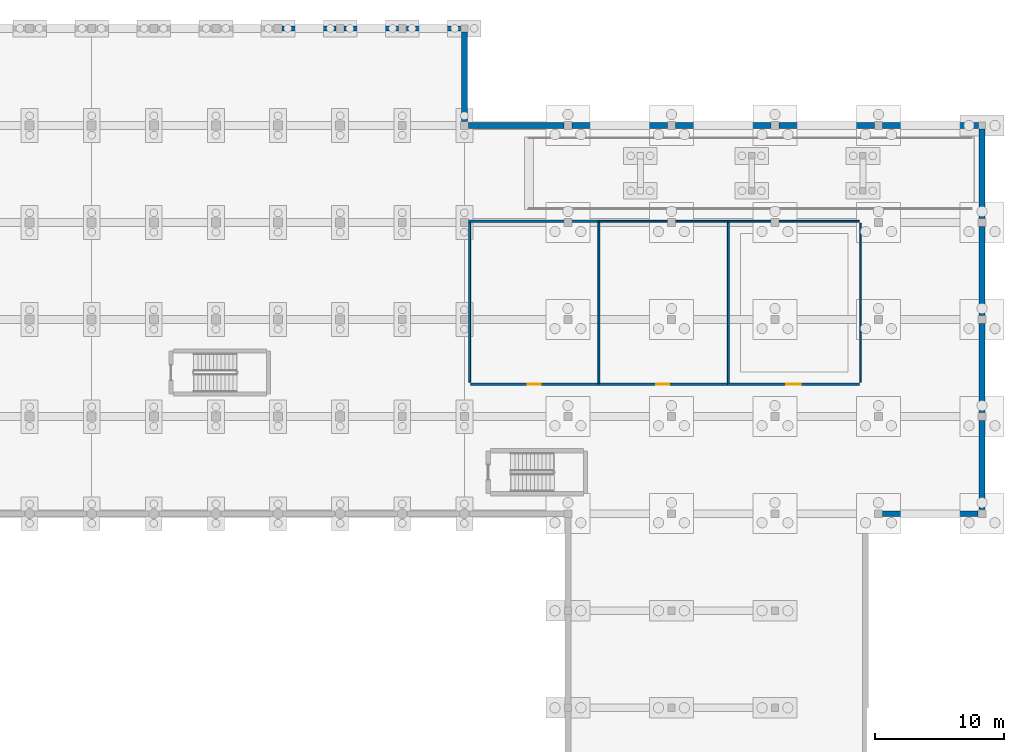
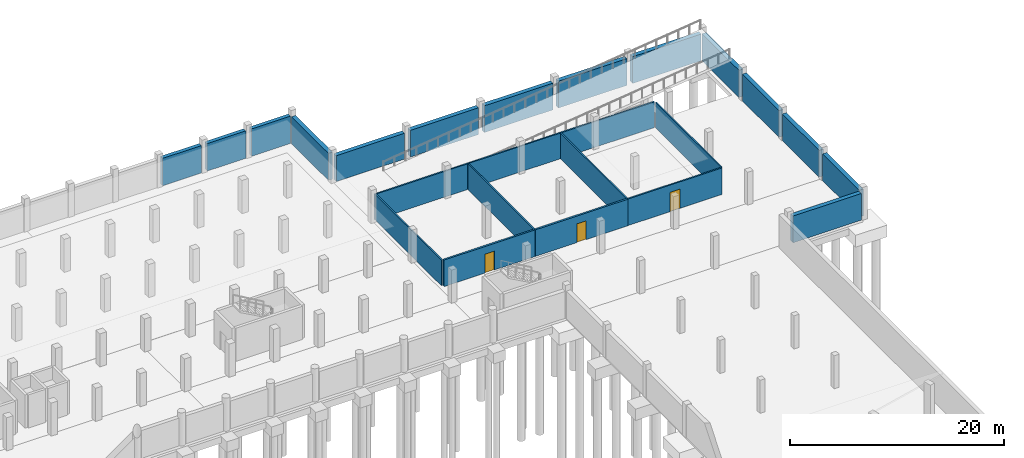
# One storey, part 9 of 17: 24 walls, 3 doors, 3 openings.
"""IFC4 building model written with IfcOpenShell, lengths in metres."""

import ifcopenshell
import ifcopenshell.guid

model = None  # the IFC model being written
_history = None  # IfcOwnerHistory: only IFC2X3 demands one
_inside = {}  # id of a spatial element -> (the spatial element, [elements in it])
_under = {}  # id of a project, library or spatial element -> (it, [spatial elements below it])
_declared = {}  # id of a project -> (the project, [libraries it declares])
_typed = {}  # id of a type object -> (the type object, [elements of that type])
_made_of = {}  # id of a material, layer set ... -> (it, [elements and type objects made of it])


def new_model(schema):
    """Start an empty IFC model of exactly this schema.

    Asked for "IFC4X3", IfcOpenShell would pick the latest addendum, in which some entities
    have other attributes; the version numbers below select the first issue.
    IFC2X3 requires an IfcOwnerHistory on every rooted entity: one is made here for all.
    """
    global model, _history
    if schema == "IFC4X3":
        model = ifcopenshell.file(schema_version=(4, 3, 0, 0))
    else:
        model = ifcopenshell.file(schema=schema)
    _inside.clear()
    _under.clear()
    _declared.clear()
    _typed.clear()
    _made_of.clear()
    _history = None
    if model.schema == "IFC2X3":
        org = make("IfcOrganization", Name="unknown")
        user = make(
            "IfcPersonAndOrganization",
            ThePerson=make("IfcPerson", FamilyName="unknown"),
            TheOrganization=org,
        )
        app = make(
            "IfcApplication",
            ApplicationDeveloper=org,
            Version="unknown",
            ApplicationFullName="unknown",
            ApplicationIdentifier="unknown",
        )
        _history = make(
            "IfcOwnerHistory",
            OwningUser=user,
            OwningApplication=app,
            ChangeAction="ADDED",
            CreationDate=0,
        )
    return model


def make(cls, **values):
    """One entity of the class cls with the attributes given. An attribute that is None is left unset."""
    return model.create_entity(
        cls, **{name: value for name, value in values.items() if value is not None}
    )


def rooted(cls, **values):
    """An entity with a GlobalId (a new one), such as an element, a storey or a relation."""
    return make(cls, GlobalId=ifcopenshell.guid.new(), OwnerHistory=_history, **values)


def si_unit(unit_type, name, prefix=None):
    """IfcSIUnit, for example si_unit("LENGTHUNIT", "METRE", prefix="MILLI")."""
    return make("IfcSIUnit", UnitType=unit_type, Prefix=prefix, Name=name)


def assignment(units):
    """IfcUnitAssignment: the units of a project."""
    return None if units is None else make("IfcUnitAssignment", Units=units)


def point(xyz):
    """IfcCartesianPoint."""
    return None if xyz is None else make("IfcCartesianPoint", Coordinates=xyz)


def direction(xyz):
    """IfcDirection."""
    return None if xyz is None else make("IfcDirection", DirectionRatios=xyz)


def frame(location, z_axis=None, x_axis=None):
    """IfcAxis2Placement3D, a coordinate frame: its origin and axes. An axis left out is left unset."""
    return make(
        "IfcAxis2Placement3D",
        Location=point(location),
        Axis=direction(z_axis),
        RefDirection=direction(x_axis),
    )


def frame_2d(location, x_axis=None):
    """IfcAxis2Placement2D, a coordinate frame in the plane: its origin and x axis."""
    return make(
        "IfcAxis2Placement2D", Location=point(location), RefDirection=direction(x_axis)
    )


def origin():
    """The frame at (0, 0, 0) with its axes left unset."""
    return frame((0.0, 0.0, 0.0))


def place(relative_to, where):
    """IfcLocalPlacement: puts the frame where relative to a parent placement (None: the world)."""
    return make(
        "IfcLocalPlacement", PlacementRelTo=relative_to, RelativePlacement=where
    )


def context(
    kind, dimensions, precision=None, world=None, true_north=None, identifier=None
):
    """IfcGeometricRepresentationContext, for example the 3D "Model" context."""
    return make(
        "IfcGeometricRepresentationContext",
        ContextIdentifier=identifier,
        ContextType=kind,
        CoordinateSpaceDimension=dimensions,
        Precision=precision,
        WorldCoordinateSystem=world,
        TrueNorth=true_north,
    )


def subcontext(parent, identifier, kind, view, scale=None):
    """IfcGeometricRepresentationSubContext, for example "Body" below "Model"."""
    return make(
        "IfcGeometricRepresentationSubContext",
        ContextIdentifier=identifier,
        ContextType=kind,
        ParentContext=parent,
        TargetScale=scale,
        TargetView=view,
    )


def project(units=None, contexts=None):
    """IfcProject with its units and contexts."""
    return rooted(
        "IfcProject",
        Name="project",
        RepresentationContexts=contexts,
        UnitsInContext=assignment(units),
    )


def spatial(cls, under=None, at=None, **own):
    """A site, building, storey or space (cls), placed at a placement, below another one or the project."""
    s = rooted(cls, ObjectPlacement=at, **own)
    if under is not None:
        _under.setdefault(under.id(), (under, []))[1].append(s)
    return s


def profile(cls, at=None, kind="AREA", **sizes):
    """A parametric profile (cls). Its sizes go by their IFC names, for example OverallWidth=200.0."""
    return make(cls, ProfileType=kind, Position=at, **sizes)


def rectangle(**sizes):
    """IfcRectangleProfileDef."""
    return profile("IfcRectangleProfileDef", **sizes)


def extrude(swept, where, along, depth):
    """IfcExtrudedAreaSolid: the profile swept, set in the frame where, extruded along a direction by depth."""
    return make(
        "IfcExtrudedAreaSolid",
        SweptArea=swept,
        Position=where,
        ExtrudedDirection=direction(along),
        Depth=depth,
    )


def shape(context_of_items, identifier, shape_type, items):
    """IfcShapeRepresentation: the items that make up one representation, for example the "Body"."""
    return make(
        "IfcShapeRepresentation",
        ContextOfItems=context_of_items,
        RepresentationIdentifier=identifier,
        RepresentationType=shape_type,
        Items=items,
    )


def material(Name=None, Category=None):
    """IfcMaterial."""
    return make("IfcMaterial", Name=Name, Category=Category)


def layer(
    of_material, thickness, ventilated=None, Name=None, Category=None, Priority=None
):
    """IfcMaterialLayer: one layer of a wall or slab, of a material (None: an air gap)."""
    return make(
        "IfcMaterialLayer",
        Material=of_material,
        LayerThickness=thickness,
        IsVentilated=ventilated,
        Name=Name,
        Category=Category,
        Priority=Priority,
    )


def layer_set(layers, Name=None):
    """IfcMaterialLayerSet."""
    return make("IfcMaterialLayerSet", MaterialLayers=layers, LayerSetName=Name)


def made_of(thing, what):
    """Note that an element or type object is made of a material, layer set ...; save() writes the relation."""
    if what is not None:
        _made_of.setdefault(what.id(), (what, []))[1].append(thing)
    return thing


def type_object(cls, material=None, **own):
    """A type object (cls), such as IfcWallType, which elements share."""
    return made_of(rooted(cls, **own), material)


def element(
    cls,
    number,
    at=None,
    inside=None,
    cuts=None,
    type_object=None,
    material=None,
    context=None,
    identifier="Body",
    shape_type=None,
    held_by="IfcProductDefinitionShape",
    body=None,
    shapes=None,
    **own,
):
    """One element of the class cls, such as IfcWall. Its Tag is "e" and its number.

    at: its placement. inside: the storey or other place that contains it. cuts: it is an
    opening in that element (IfcRelVoidsElement). A single representation is given by context,
    identifier, shape_type and body (its items); several are given by shapes. held_by: the class
    of the entity that holds the representations. save() writes the other relations.
    """
    e = rooted(cls, Tag="e%d" % number, ObjectPlacement=at, **own)
    if body is not None:
        shapes = [shape(context, identifier, shape_type, body)]
    if shapes is not None:
        e.Representation = make(held_by, Representations=shapes)
    if inside is not None:
        _inside.setdefault(inside.id(), (inside, []))[1].append(e)
    if cuts is not None:
        rooted(
            "IfcRelVoidsElement", RelatingBuildingElement=cuts, RelatedOpeningElement=e
        )
    if type_object is not None:
        _typed.setdefault(type_object.id(), (type_object, []))[1].append(e)
    return made_of(e, material)


def fill(opening, filler):
    """IfcRelFillsElement: the door or window that sits in an opening."""
    return rooted(
        "IfcRelFillsElement",
        RelatingOpeningElement=opening,
        RelatedBuildingElement=filler,
    )


def aggregate(whole, parts):
    """IfcRelAggregates: a whole, such as a stair, and the parts it consists of."""
    return rooted("IfcRelAggregates", RelatingObject=whole, RelatedObjects=parts)


def save(model, path):
    """Write the relations noted so far, then the file.

    IfcRelAggregates (storeys below a building ...), IfcRelContainedInSpatialStructure (elements
    in a storey), IfcRelDefinesByType, IfcRelAssociatesMaterial and IfcRelDeclares: one each for
    every whole, place, type object, material and project.
    """
    for whole, parts in _under.values():
        aggregate(whole, parts)
    for where, things in _inside.values():
        rooted(
            "IfcRelContainedInSpatialStructure",
            RelatedElements=things,
            RelatingStructure=where,
        )
    for kind, things in _typed.values():
        rooted("IfcRelDefinesByType", RelatedObjects=things, RelatingType=kind)
    for what, things in _made_of.values():
        rooted("IfcRelAssociatesMaterial", RelatedObjects=things, RelatingMaterial=what)
    for by, libraries in _declared.values():
        rooted("IfcRelDeclares", RelatingContext=by, RelatedDefinitions=libraries)
    model.write(path)


model = new_model("IFC4")

# Units and contexts
model_context = context("Model", 3, precision=1e-05, world=origin(), true_north=direction((0.0, 1.0)))
body_context = subcontext(model_context, "Body", "Model", "MODEL_VIEW")
ifc_project = project(units=[si_unit("LENGTHUNIT", "METRE"), si_unit("AREAUNIT", "SQUARE_METRE"), si_unit("VOLUMEUNIT", "CUBIC_METRE"), si_unit("PLANEANGLEUNIT", "RADIAN"), si_unit("MASSUNIT", "GRAM", prefix="KILO")], contexts=[model_context])

# Site, building, storey
site_placement = place(None, origin())
site = spatial("IfcSite", under=ifc_project, at=site_placement, CompositionType="ELEMENT")
building_placement = place(site_placement, origin())
building = spatial("IfcBuilding", under=site, at=building_placement, Name="Mawjan Specialist Oncology Clinic", CompositionType="ELEMENT")
storey_placement = place(building_placement, frame((0.0, 0.0, -4.199951171875)))
storey = spatial("IfcBuildingStorey", under=building, at=storey_placement, Name="B01", CompositionType="ELEMENT", Elevation=-4.199951171875)

# Walls
ifc_material_1 = material(Name="Concrete C40/50", Category="concrete")
ifc_layer_1 = layer(ifc_material_1, 0.39990234375, Name="Concrete C40/50", Category="concrete")
ifc_layer_set_1 = layer_set([ifc_layer_1], Name="Concrete C40/50")
wall_type_1 = type_object("IfcWallType", Name="RW-400", PredefinedType="USERDEFINED", material=ifc_layer_set_1)
wall_1_placement = place(storey_placement, frame((93.909912109375, 113.300048828125, 0.0), z_axis=(0.0, 0.0, 1.0), x_axis=(1.0, 0.0, 0.0)))
element("IfcWall", 1, at=wall_1_placement, inside=storey, type_object=wall_type_1, Name="B01 Perimeter Retaining Wall 40", ObjectType="RETAININGWALL", PredefinedType="USERDEFINED", context=body_context, shape_type="SweptSolid", body=[
    extrude(rectangle(XDim=4.18017578125, YDim=0.39990234375, at=frame_2d((2.090087890625, 0.0))), origin(), (0.0, 0.0, 1.0), 3.1298828125),
])
wall_2_placement = place(storey_placement, frame((98.7099609375, 113.300048828125, 0.0), z_axis=(0.0, 0.0, 1.0), x_axis=(1.0, 0.0, 0.0)))
element("IfcWall", 2, at=wall_2_placement, inside=storey, type_object=wall_type_1, Name="B01 Perimeter Retaining Wall 41", ObjectType="RETAININGWALL", PredefinedType="USERDEFINED", context=body_context, shape_type="SweptSolid", body=[
    extrude(rectangle(XDim=4.179931640625, YDim=0.39990234375, at=frame_2d((2.08984375, 0.0))), origin(), (0.0, 0.0, 1.0), 3.1298828125),
])
wall_3_placement = place(storey_placement, frame((103.510009765625, 113.300048828125, 0.0), z_axis=(0.0, 0.0, 1.0), x_axis=(1.0, 0.0, 0.0)))
element("IfcWall", 3, at=wall_3_placement, inside=storey, type_object=wall_type_1, Name="B01 Perimeter Retaining Wall 42", ObjectType="RETAININGWALL", PredefinedType="USERDEFINED", context=body_context, shape_type="SweptSolid", body=[
    extrude(rectangle(XDim=4.205078125, YDim=0.39990234375, at=frame_2d((2.1025390625, 0.0))), origin(), (0.0, 0.0, 1.0), 3.1298828125),
])
ifc_material_2 = material(Name="Concrete C40/50", Category="concrete")
ifc_layer_2 = layer(ifc_material_2, 0.449951171875, Name="Concrete C40/50", Category="concrete")
ifc_layer_set_2 = layer_set([ifc_layer_2], Name="Concrete C40/50")
wall_type_2 = type_object("IfcWallType", Name="RW-450", PredefinedType="USERDEFINED", material=ifc_layer_set_2)
wall_4_placement = place(storey_placement, frame((108.0, 113.014892578125, 0.0), z_axis=(0.0, 0.0, 1.0), x_axis=(0.0, -1.0, 0.0)))
element("IfcWall", 4, at=wall_4_placement, inside=storey, type_object=wall_type_2, Name="B01 Perimeter Retaining Wall 43", ObjectType="RETAININGWALL", PredefinedType="USERDEFINED", context=body_context, shape_type="SweptSolid", body=[
    extrude(rectangle(XDim=6.90478515625, YDim=0.449951171875, at=frame_2d((3.452392578125, 0.0))), origin(), (0.0, 0.0, 1.0), 3.079833984375),
])
wall_5_placement = place(storey_placement, frame((108.31005859375, 105.800048828125, 0.0), z_axis=(0.0, 0.0, 1.0), x_axis=(1.0, 0.0, 0.0)))
element("IfcWall", 5, at=wall_5_placement, inside=storey, type_object=wall_type_2, Name="B01 Perimeter Retaining Wall 44", ObjectType="RETAININGWALL", PredefinedType="USERDEFINED", context=body_context, shape_type="SweptSolid", body=[
    extrude(rectangle(XDim=7.3798828125, YDim=0.449951171875, at=frame_2d((3.68994140625, 0.0))), origin(), (0.0, 0.0, 1.0), 2.949951171875),
])
for number, where, z_axis, x_axis, name in (
    (6, (116.31005859375, 105.800048828125, 0.0), (0.0, 0.0, 1.0), (1.0, 0.0, 0.0), "B01 Perimeter Retaining Wall 45"),
    (7, (124.31005859375, 105.800048828125, 0.0), (0.0, 0.0, 1.0), (1.0, 0.0, 0.0), "B01 Perimeter Retaining Wall 46"),
    (8, (132.31005859375, 105.800048828125, 0.0), (0.0, 0.0, 1.0), (1.0, 0.0, 0.0), "B01 Perimeter Retaining Wall 47"),
):
    element("IfcWall", number, at=place(storey_placement, frame(where, z_axis=z_axis, x_axis=x_axis)), inside=storey, type_object=wall_type_2, Name=name, ObjectType="RETAININGWALL", PredefinedType="USERDEFINED", context=body_context, shape_type="SweptSolid", body=[
        extrude(rectangle(XDim=7.3798828125, YDim=0.449951171875, at=frame_2d((3.68994140625, 0.0))), origin(), (0.0, 0.0, 1.0), 3.050048828125),
    ])
wall_6_placement = place(storey_placement, frame((140.31005859375, 105.800048828125, 0.0), z_axis=(0.0, 0.0, 1.0), x_axis=(1.0, 0.0, 0.0)))
element("IfcWall", 9, at=wall_6_placement, inside=storey, type_object=wall_type_2, Name="B01 Perimeter Retaining Wall 48", ObjectType="RETAININGWALL", PredefinedType="USERDEFINED", context=body_context, shape_type="SweptSolid", body=[
    extrude(rectangle(XDim=7.405029296875, YDim=0.449951171875, at=frame_2d((3.70263671875, 0.0))), origin(), (0.0, 0.0, 1.0), 3.050048828125),
])
wall_7_placement = place(storey_placement, frame((148.0, 105.514892578125, 0.0), z_axis=(0.0, 0.0, 1.0), x_axis=(0.0, -1.0, 0.0)))
element("IfcWall", 10, at=wall_7_placement, inside=storey, type_object=wall_type_2, Name="B01 Perimeter Retaining Wall 49", ObjectType="RETAININGWALL", PredefinedType="USERDEFINED", context=body_context, shape_type="SweptSolid", body=[
    extrude(rectangle(XDim=6.90478515625, YDim=0.449951171875, at=frame_2d((3.452392578125, 0.0))), origin(), (0.0, 0.0, 1.0), 3.099853515625),
])
for number, where, z_axis, x_axis, name in (
    (11, (148.0, 97.989990234375, 0.0), (0.0, 0.0, 1.0), (0.0, -1.0, 0.0), "B01 Perimeter Retaining Wall 50"),
    (12, (148.0, 90.489990234375, 0.0), (0.0, 0.0, 1.0), (0.0, -1.0, 0.0), "B01 Perimeter Retaining Wall 51"),
    (13, (148.0, 82.989990234375, 0.0), (0.0, 0.0, 1.0), (0.0, -1.0, 0.0), "B01 Perimeter Retaining Wall 52"),
):
    element("IfcWall", number, at=place(storey_placement, frame(where, z_axis=z_axis, x_axis=x_axis)), inside=storey, type_object=wall_type_2, Name=name, ObjectType="RETAININGWALL", PredefinedType="USERDEFINED", context=body_context, shape_type="SweptSolid", body=[
        extrude(rectangle(XDim=6.8798828125, YDim=0.449951171875, at=frame_2d((3.43994140625, 0.0))), origin(), (0.0, 0.0, 1.0), 3.050048828125),
    ])
wall_8_placement = place(storey_placement, frame((147.68994140625, 75.800048828125, 0.0), z_axis=(0.0, 0.0, 1.0), x_axis=(-1.0, 0.0, 0.0)))
element("IfcWall", 14, at=wall_8_placement, inside=storey, type_object=wall_type_2, Name="B01 Perimeter Retaining Wall 53", ObjectType="RETAININGWALL", PredefinedType="USERDEFINED", context=body_context, shape_type="SweptSolid", body=[
    extrude(rectangle(XDim=7.3798828125, YDim=0.449951171875, at=frame_2d((3.68994140625, 0.0))), origin(), (0.0, 0.0, 1.0), 3.050048828125),
])
ifc_material_3 = material(Name="Moisture-resistant washroom partition", Category="gypsum")
ifc_layer_3 = layer(ifc_material_3, 0.125, Name="Moisture-resistant washroom partition", Category="gypsum")
ifc_layer_set_3 = layer_set([ifc_layer_3], Name="Moisture-resistant washroom partition")
wall_type_3 = type_object("IfcWallType", Name="WP-125", PredefinedType="PARTITIONING", material=ifc_layer_set_3)
wall_9_placement = place(storey_placement, frame((138.60009765625, 85.965087890625, 0.0), z_axis=(0.0, 0.0, 1.0), x_axis=(0.0, 1.0, 0.0)))
element("IfcWall", 15, at=wall_9_placement, inside=storey, type_object=wall_type_3, Name="B01 Interior Partition W-INT-B01-B09-D", PredefinedType="PARTITIONING", context=body_context, shape_type="SweptSolid", body=[
    extrude(rectangle(XDim=12.27001953125, YDim=0.125, at=frame_2d((6.135009765625, 0.0))), origin(), (0.0, 0.0, 1.0), 2.93505859375),
])
ifc_material_4 = material(Name="Acoustic gypsum clinical partition", Category="gypsum")
ifc_layer_4 = layer(ifc_material_4, 0.14990234375, Name="Acoustic gypsum clinical partition", Category="gypsum")
ifc_layer_set_4 = layer_set([ifc_layer_4], Name="Acoustic gypsum clinical partition")
wall_type_4 = type_object("IfcWallType", Name="WP-150", PredefinedType="PARTITIONING", material=ifc_layer_set_4)
wall_10_placement = place(storey_placement, frame((118.326904296875, 98.39990234375, 0.0), z_axis=(0.0, 0.0, 1.0), x_axis=(1.0, 0.0, 0.0)))
element("IfcWall", 16, at=wall_10_placement, inside=storey, type_object=wall_type_4, Name="B01 Interior Partition W-INT-B01-B08-R", PredefinedType="PARTITIONING", context=body_context, shape_type="SweptSolid", body=[
    extrude(rectangle(XDim=9.988037109375, YDim=0.14990234375, at=frame_2d((4.994140625, 0.0))), origin(), (0.0, 0.0, 1.0), 2.93505859375),
])
wall_11_placement = place(storey_placement, frame((128.326904296875, 98.39990234375, 0.0), z_axis=(0.0, 0.0, 1.0), x_axis=(1.0, 0.0, 0.0)))
element("IfcWall", 17, at=wall_11_placement, inside=storey, type_object=wall_type_4, Name="B01 Interior Partition W-INT-B01-B09-R", PredefinedType="PARTITIONING", context=body_context, shape_type="SweptSolid", body=[
    extrude(rectangle(XDim=10.18798828125, YDim=0.14990234375, at=frame_2d((5.093994140625, 0.0))), origin(), (0.0, 0.0, 1.0), 2.93505859375),
])
wall_12_placement = place(storey_placement, frame((108.39990234375, 85.965087890625, 0.0), z_axis=(0.0, 0.0, 1.0), x_axis=(0.0, 1.0, 0.0)))
element("IfcWall", 18, at=wall_12_placement, inside=storey, type_object=wall_type_4, Name="B01 Interior Partition W-INT-B01-B07-D0", PredefinedType="PARTITIONING", context=body_context, shape_type="SweptSolid", body=[
    extrude(rectangle(XDim=12.343017578125, YDim=0.14990234375, at=frame_2d((6.17138671875, 0.0))), origin(), (0.0, 0.0, 1.0), 2.93505859375),
])
for number, where, z_axis, x_axis, name in (
    (19, (118.39990234375, 85.89208984375, 0.0), (0.0, 0.0, 1.0), (0.0, 1.0, 0.0), "B01 Interior Partition W-INT-B01-B07-D"),
    (20, (128.39990234375, 85.89208984375, 0.0), (0.0, 0.0, 1.0), (0.0, 1.0, 0.0), "B01 Interior Partition W-INT-B01-B08-D"),
):
    element("IfcWall", number, at=place(storey_placement, frame(where, z_axis=z_axis, x_axis=x_axis)), inside=storey, type_object=wall_type_4, Name=name, PredefinedType="PARTITIONING", context=body_context, shape_type="SweptSolid", body=[
        extrude(rectangle(XDim=12.4208984375, YDim=0.14990234375, at=frame_2d((6.21044921875, 0.0))), origin(), (0.0, 0.0, 1.0), 2.93505859375),
    ])

# Wall, opening, door
ifc_material_5 = material(Name="Acoustic clinical twin-stud partition", Category="gypsum")
ifc_layer_5 = layer(ifc_material_5, 0.159912109375, Name="Acoustic clinical twin-stud partition", Category="gypsum")
ifc_layer_set_5 = layer_set([ifc_layer_5], Name="Acoustic clinical twin-stud partition")
wall_type_5 = type_object("IfcWallType", Name="WP-160", PredefinedType="PARTITIONING", material=ifc_layer_set_5)
wall_13_placement = place(storey_placement, frame((128.326904296875, 85.800048828125, 0.0), z_axis=(0.0, 0.0, 1.0), x_axis=(1.0, 0.0, 0.0)))
wall_13 = element("IfcWall", 21, at=wall_13_placement, inside=storey, type_object=wall_type_5, Name="B01 Interior Partition W-INT-B01-B09-C", PredefinedType="PARTITIONING", context=body_context, shape_type="SweptSolid", body=[
    extrude(rectangle(XDim=10.18798828125, YDim=0.159912109375, at=frame_2d((5.093994140625, 0.0))), origin(), (0.0, 0.0, 1.0), 3.034912109375),
])
opening_1_placement = place(wall_13_placement, frame((4.533935546875, 0.0, 0.0)))
opening_1 = element("IfcOpeningElement", 22, at=opening_1_placement, cuts=wall_13, Name="Opening DI-112", PredefinedType="OPENING", context=body_context, shape_type="SweptSolid", body=[
    extrude(rectangle(XDim=1.1201171875, YDim=2.199951171875, at=frame_2d((0.56005859375, 1.10009765625))), frame((0.0, 0.092041015625, 0.0), z_axis=(0.0, -1.0, 0.0), x_axis=(1.0, 0.0, 0.0)), (0.0, 0.0, 1.0), 0.183837890625),
])
ifc_material_6 = material(Name="Acoustic laminate hospital door leaf", Category="wood")
door_type_1 = type_object("IfcDoorType", Name="DI-112", OperationType="NOTDEFINED", PredefinedType="DOOR", material=ifc_material_6)
door_1_placement = place(opening_1_placement, origin())
door_1 = element("IfcDoor", 23, at=door_1_placement, inside=storey, type_object=door_type_1, Name="B01 Medical Gas Manifold Room Door", OperationType="SINGLE_SWING_LEFT", OverallHeight=2.199951171875, OverallWidth=1.1201171875, PredefinedType="DOOR", context=body_context, shape_type="SweptSolid", body=[
    extrude(rectangle(XDim=1.1201171875, YDim=2.199951171875, at=frame_2d((0.56005859375, 1.10009765625))), frame((0.0, 0.02490234375, 0.0), z_axis=(0.0, -1.0, 0.0), x_axis=(1.0, 0.0, 0.0)), (0.0, 0.0, 1.0), 0.050048828125),
])
fill(opening_1, door_1)

# Wall
wall_14_placement = place(storey_placement, frame((108.31201171875, 98.39990234375, 0.0), z_axis=(0.0, 0.0, 1.0), x_axis=(1.0, 0.0, 0.0)))
element("IfcWall", 24, at=wall_14_placement, inside=storey, type_object=wall_type_5, Name="B01 Interior Partition W-INT-B01-B07-R", PredefinedType="PARTITIONING", context=body_context, shape_type="SweptSolid", body=[
    extrude(rectangle(XDim=10.0029296875, YDim=0.159912109375, at=frame_2d((5.00146484375, 0.0))), origin(), (0.0, 0.0, 1.0), 2.93505859375),
])

# Wall, opening, door
ifc_material_7 = material(Name="Insulated fire-rated gypsum stud partition", Category="gypsum")
ifc_layer_6 = layer(ifc_material_7, 0.199951171875, Name="Insulated fire-rated gypsum stud partition", Category="gypsum")
ifc_layer_set_6 = layer_set([ifc_layer_6], Name="Insulated fire-rated gypsum stud partition")
wall_type_6 = type_object("IfcWallType", Name="WS-60", PredefinedType="PARTITIONING", material=ifc_layer_set_6)
wall_15_placement = place(storey_placement, frame((108.485107421875, 85.800048828125, 0.0), z_axis=(0.0, 0.0, 1.0), x_axis=(1.0, 0.0, 0.0)))
wall_15 = element("IfcWall", 25, at=wall_15_placement, inside=storey, type_object=wall_type_6, Name="B01 Interior Partition W-INT-B01-B07-C", PredefinedType="PARTITIONING", context=body_context, shape_type="SweptSolid", body=[
    extrude(rectangle(XDim=9.829833984375, YDim=0.199951171875, at=frame_2d((4.9150390625, 0.0))), origin(), (0.0, 0.0, 1.0), 3.034912109375),
])
opening_2_placement = place(wall_15_placement, frame((4.4150390625, 0.0, 0.0)))
opening_2 = element("IfcOpeningElement", 26, at=opening_2_placement, cuts=wall_15, Name="Opening DF-100", PredefinedType="OPENING", context=body_context, shape_type="SweptSolid", body=[
    extrude(rectangle(XDim=1.0, YDim=2.14990234375, at=frame_2d((0.5, 1.074951171875))), frame((0.0, 0.112060546875, 0.0), z_axis=(0.0, -1.0, 0.0), x_axis=(1.0, 0.0, 0.0)), (0.0, 0.0, 1.0), 0.223876953125),
])
ifc_material_8 = material(Name="Stainless-steel fire-rated hospital door", Category="steel")
door_type_2 = type_object("IfcDoorType", Name="DF-100", OperationType="NOTDEFINED", PredefinedType="DOOR", material=ifc_material_8)
door_2_placement = place(opening_2_placement, origin())
door_2 = element("IfcDoor", 27, at=door_2_placement, inside=storey, type_object=door_type_2, Name="B01 Coastal Chiller Plant Room Door", OperationType="SINGLE_SWING_LEFT", OverallHeight=2.14990234375, OverallWidth=1.0, PredefinedType="DOOR", context=body_context, shape_type="SweptSolid", body=[
    extrude(rectangle(XDim=1.0, YDim=2.14990234375, at=frame_2d((0.5, 1.074951171875))), frame((0.0, 0.02490234375, 0.0), z_axis=(0.0, -1.0, 0.0), x_axis=(1.0, 0.0, 0.0)), (0.0, 0.0, 1.0), 0.050048828125),
])
fill(opening_2, door_2)

wall_16_placement = place(storey_placement, frame((118.326904296875, 85.800048828125, 0.0), z_axis=(0.0, 0.0, 1.0), x_axis=(1.0, 0.0, 0.0)))
wall_16 = element("IfcWall", 28, at=wall_16_placement, inside=storey, type_object=wall_type_6, Name="B01 Interior Partition W-INT-B01-B08-C", PredefinedType="PARTITIONING", context=body_context, shape_type="SweptSolid", body=[
    extrude(rectangle(XDim=9.988037109375, YDim=0.199951171875, at=frame_2d((4.994140625, 0.0))), origin(), (0.0, 0.0, 1.0), 3.034912109375),
])
opening_3_placement = place(wall_16_placement, frame((4.493896484375, 0.0, 0.0)))
opening_3 = element("IfcOpeningElement", 29, at=opening_3_placement, cuts=wall_16, Name="Opening DF-100", PredefinedType="OPENING", context=body_context, shape_type="SweptSolid", body=[
    extrude(rectangle(XDim=1.0, YDim=2.14990234375, at=frame_2d((0.5, 1.074951171875))), frame((0.0, 0.112060546875, 0.0), z_axis=(0.0, -1.0, 0.0), x_axis=(1.0, 0.0, 0.0)), (0.0, 0.0, 1.0), 0.223876953125),
])
door_3_placement = place(opening_3_placement, origin())
door_3 = element("IfcDoor", 30, at=door_3_placement, inside=storey, type_object=door_type_2, Name="B01 Medium-Voltage Electrical Substation Door", OperationType="SINGLE_SWING_RIGHT", OverallHeight=2.14990234375, OverallWidth=1.0, PredefinedType="DOOR", context=body_context, shape_type="SweptSolid", body=[
    extrude(rectangle(XDim=1.0, YDim=2.14990234375, at=frame_2d((0.5, 1.074951171875))), frame((0.0, 0.02490234375, 0.0), z_axis=(0.0, -1.0, 0.0), x_axis=(1.0, 0.0, 0.0)), (0.0, 0.0, 1.0), 0.050048828125),
])
fill(opening_3, door_3)

save(model, "model.ifc")
